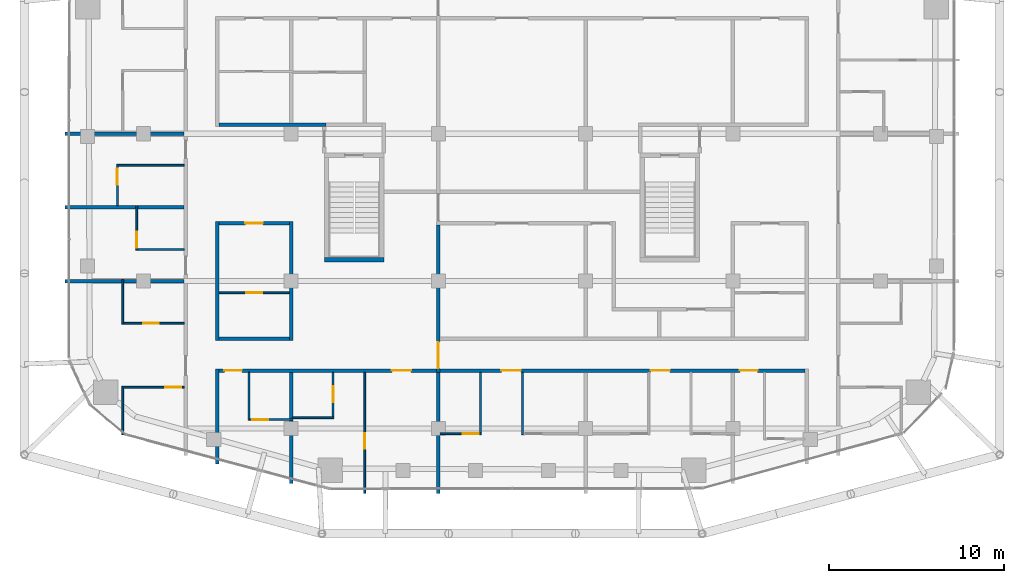
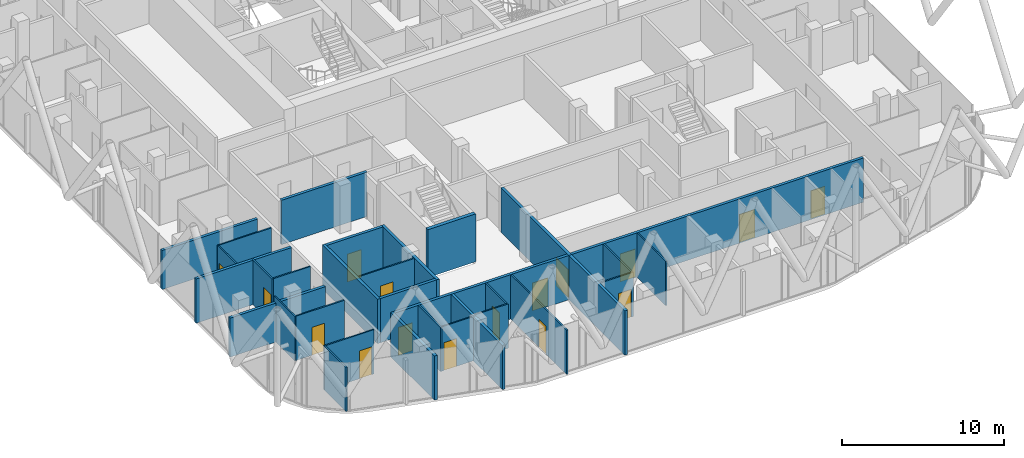
# One storey, part 23 of 31: 31 walls, 16 doors, 16 openings.
"""IFC4 building model written with IfcOpenShell, lengths in metres."""

from ifc_helpers import new_model, si_unit, direction, frame, frame_2d, origin, place, context, subcontext, project, spatial, rectangle, extrude, material, layer, layer_set, type_object, element, fill, save


model = new_model("IFC4")

# Units and contexts
model_context = context("Model", 3, precision=1e-05, world=origin(), true_north=direction((0.0, 1.0)))
body_context = subcontext(model_context, "Body", "Model", "MODEL_VIEW")
ifc_project = project(units=[si_unit("LENGTHUNIT", "METRE"), si_unit("AREAUNIT", "SQUARE_METRE"), si_unit("VOLUMEUNIT", "CUBIC_METRE"), si_unit("PLANEANGLEUNIT", "RADIAN"), si_unit("MASSUNIT", "GRAM", prefix="KILO")], contexts=[model_context])

# Site, building, storey
site_placement = place(None, origin())
site = spatial("IfcSite", under=ifc_project, at=site_placement, CompositionType="ELEMENT")
building_placement = place(site_placement, origin())
building = spatial("IfcBuilding", under=site, at=building_placement, Name="Marenta Gate Hotel Tower", CompositionType="ELEMENT")
storey_placement = place(building_placement, frame((0.0, 0.0, 205.699951171875)))
storey = spatial("IfcBuildingStorey", under=building, at=storey_placement, Name="L47", CompositionType="ELEMENT", Elevation=205.699951171875)

# Wall
ifc_material_1 = material(Name="Concrete blockwork", Category="masonry")
ifc_layer_1 = layer(ifc_material_1, 0.199951171875)
ifc_layer_set_1 = layer_set([ifc_layer_1], Name="Concrete blockwork")
wall_type_1 = type_object("IfcWallType", Name="Compartment wall 200 REI 180", PredefinedType="PARTITIONING", material=ifc_layer_set_1)
wall_1_placement = place(storey_placement, frame((-4.199951171875, -28.89990234375, 0.0), z_axis=(0.0, 0.0, 1.0), x_axis=(0.0, 1.0, 0.0)))
element("IfcWall", 1, at=wall_1_placement, inside=storey, type_object=wall_type_1, Name="L47-PTN-W070", PredefinedType="PARTITIONING", context=body_context, shape_type="SweptSolid", body=[
    extrude(rectangle(XDim=6.89990234375, YDim=0.199951171875, at=frame_2d((3.449951171875, 0.0))), origin(), (0.0, 0.0, 1.0), 3.340087890625),
])

# Wall, opening, door
wall_2_placement = place(storey_placement, frame((-4.199951171875, -22.0, 0.0), z_axis=(0.0, 0.0, 1.0), x_axis=(0.0, 1.0, 0.0)))
wall_2 = element("IfcWall", 2, at=wall_2_placement, inside=storey, type_object=wall_type_1, Name="L47-PTN-W073", PredefinedType="PARTITIONING", context=body_context, shape_type="SweptSolid", body=[
    extrude(rectangle(XDim=8.39990234375, YDim=0.199951171875, at=frame_2d((4.199951171875, 0.0))), origin(), (0.0, 0.0, 1.0), 3.340087890625),
])
opening_1_placement = place(wall_2_placement, frame((0.22509765625, 0.0, 0.0)))
opening_1 = element("IfcOpeningElement", 3, at=opening_1_placement, cuts=wall_2, Name="Opening G16-FD4", PredefinedType="OPENING", context=body_context, shape_type="SweptSolid", body=[
    extrude(rectangle(XDim=1.5, YDim=2.10009765625, at=frame_2d((0.75, 1.050048828125))), frame((0.0, 0.10009765625, 0.0), z_axis=(0.0, -1.0, 0.0), x_axis=(1.0, 0.0, 0.0)), (0.0, 0.0, 1.0), 0.199951171875),
])
ifc_material_2 = material(Name="Hollow steel door set", Category="steel")
door_type_1 = type_object("IfcDoorType", Name="Compartment fire door 1500x2100 EI 60", OperationType="DOUBLE_DOOR_DOUBLE_SWING", PredefinedType="DOOR", material=ifc_material_2)
door_1_placement = place(opening_1_placement, origin())
door_1 = element("IfcDoor", 4, at=door_1_placement, inside=storey, type_object=door_type_1, Name="L47-PD-FD04", OperationType="DOUBLE_DOOR_DOUBLE_SWING", OverallHeight=2.10009765625, OverallWidth=1.5, PredefinedType="DOOR", context=body_context, shape_type="SweptSolid", body=[
    extrude(rectangle(XDim=1.5, YDim=2.10009765625, at=frame_2d((0.75, 1.050048828125))), frame((0.0, 0.02490234375, 0.0), z_axis=(0.0, -1.0, 0.0), x_axis=(1.0, 0.0, 0.0)), (0.0, 0.0, 1.0), 0.050048828125),
])
fill(opening_1, door_1)

# Walls
ifc_material_3 = material(Name="Concrete C40", Category="concrete")
ifc_layer_2 = layer(ifc_material_3, 0.25)
ifc_layer_set_2 = layer_set([ifc_layer_2], Name="Concrete C40")
wall_type_2 = type_object("IfcWallType", Name="Remote stair enclosure wall 250 REI 180", PredefinedType="SHEAR", material=ifc_layer_set_2)
wall_3_placement = place(storey_placement, frame((-10.699951171875, -15.574951171875, 0.10009765625), z_axis=(0.0, 0.0, 1.0), x_axis=(1.0, 0.0, 0.0)))
element("IfcWall", 5, at=wall_3_placement, inside=storey, type_object=wall_type_2, Name="L47-RS-Z3-1-W1", PredefinedType="SHEAR", context=body_context, shape_type="SweptSolid", body=[
    extrude(rectangle(XDim=3.39990234375, YDim=0.25, at=frame_2d((1.699951171875, 0.0))), origin(), (0.0, 0.0, 1.0), 3.599853515625),
])
ifc_material_4 = material(Name="Concrete blockwork", Category="masonry")
ifc_layer_3 = layer(ifc_material_4, 0.199951171875)
ifc_layer_set_3 = layer_set([ifc_layer_3], Name="Concrete blockwork")
wall_type_3 = type_object("IfcWallType", Name="Room corridor wall 200 EI 120", PredefinedType="PARTITIONING", material=ifc_layer_set_3)
wall_4_placement = place(storey_placement, frame((-16.699951171875, -20.10009765625, 0.0), z_axis=(0.0, 0.0, 1.0), x_axis=(1.0, 0.0, 0.0)))
element("IfcWall", 6, at=wall_4_placement, inside=storey, type_object=wall_type_3, Name="L47-PTN-W015", PredefinedType="PARTITIONING", context=body_context, shape_type="SweptSolid", body=[
    extrude(rectangle(XDim=4.0, YDim=0.199951171875, at=frame_2d((2.0, 0.0))), origin(), (0.0, 0.0, 1.0), 3.340087890625),
])

# Wall, opening, door
wall_5_placement = place(storey_placement, frame((-16.699951171875, -13.5, 0.0), z_axis=(0.0, 0.0, 1.0), x_axis=(1.0, 0.0, 0.0)))
wall_5 = element("IfcWall", 7, at=wall_5_placement, inside=storey, type_object=wall_type_3, Name="L47-PTN-W031", PredefinedType="PARTITIONING", context=body_context, shape_type="SweptSolid", body=[
    extrude(rectangle(XDim=4.0, YDim=0.199951171875, at=frame_2d((2.0, 0.0))), origin(), (0.0, 0.0, 1.0), 3.340087890625),
])
opening_2_placement = place(wall_5_placement, frame((1.5, 0.0, 0.0)))
opening_2 = element("IfcOpeningElement", 8, at=opening_2_placement, cuts=wall_5, Name="Opening G16-09", PredefinedType="OPENING", context=body_context, shape_type="SweptSolid", body=[
    extrude(rectangle(XDim=1.0, YDim=2.10009765625, at=frame_2d((0.5, 1.050048828125))), frame((0.0, 0.10009765625, 0.0), z_axis=(0.0, -1.0, 0.0), x_axis=(1.0, 0.0, 0.0)), (0.0, 0.0, 1.0), 0.199951171875),
])
ifc_material_5 = material(Name="Hollow steel door set", Category="steel")
door_type_2 = type_object("IfcDoorType", Name="Room service door 1000x2100 EI 60", OperationType="NOTDEFINED", PredefinedType="DOOR", material=ifc_material_5)
door_2_placement = place(opening_2_placement, origin())
door_2 = element("IfcDoor", 9, at=door_2_placement, inside=storey, type_object=door_type_2, Name="L47-PD-D009", OperationType="SINGLE_SWING_LEFT", OverallHeight=2.10009765625, OverallWidth=1.0, PredefinedType="DOOR", context=body_context, shape_type="SweptSolid", body=[
    extrude(rectangle(XDim=1.0, YDim=2.10009765625, at=frame_2d((0.5, 1.050048828125))), frame((0.0, 0.02490234375, 0.0), z_axis=(0.0, -1.0, 0.0), x_axis=(1.0, 0.0, 0.0)), (0.0, 0.0, 1.0), 0.050048828125),
])
fill(opening_2, door_2)

# Walls
wall_6_placement = place(storey_placement, frame((-16.699951171875, -7.89990234375, 0.0), z_axis=(0.0, 0.0, 1.0), x_axis=(1.0, 0.0, 0.0)))
element("IfcWall", 10, at=wall_6_placement, inside=storey, type_object=wall_type_3, Name="L47-PTN-W047", PredefinedType="PARTITIONING", context=body_context, shape_type="SweptSolid", body=[
    extrude(rectangle(XDim=6.099853515625, YDim=0.199951171875, at=frame_2d((3.0498046875, 0.0))), origin(), (0.0, 0.0, 1.0), 3.340087890625),
])
for number, where, z_axis, x_axis, name in (
    (11, (-12.60009765625, -20.199951171875, 0.0), (0.0, 0.0, 1.0), (0.0, 1.0, 0.0), "L47-PTN-W088"),
    (12, (-16.800048828125, -20.199951171875, 0.0), (0.0, 0.0, 1.0), (0.0, 1.0, 0.0), "L47-PTN-W094"),
):
    element("IfcWall", number, at=place(storey_placement, frame(where, z_axis=z_axis, x_axis=x_axis)), inside=storey, type_object=wall_type_3, Name=name, PredefinedType="PARTITIONING", context=body_context, shape_type="SweptSolid", body=[
        extrude(rectangle(XDim=6.800048828125, YDim=0.199951171875, at=frame_2d((3.39990234375, 0.0))), origin(), (0.0, 0.0, 1.0), 3.340087890625),
    ])

# Wall, openings, doors
ifc_material_6 = material(Name="Gypsum board on steel stud", Category="steel")
ifc_layer_4 = layer(ifc_material_6, 0.199951171875)
ifc_layer_set_4 = layer_set([ifc_layer_4], Name="Gypsum board on steel stud")
wall_type_4 = type_object("IfcWallType", Name="Room corridor wall 200 EI 60", PredefinedType="PARTITIONING", material=ifc_layer_set_4)
wall_7_placement = place(storey_placement, frame((-16.699951171875, -21.89990234375, 0.0), z_axis=(0.0, 0.0, 1.0), x_axis=(1.0, 0.0, 0.0)))
wall_7 = element("IfcWall", 13, at=wall_7_placement, inside=storey, type_object=wall_type_4, Name="L47-PTN-W013", PredefinedType="PARTITIONING", context=body_context, shape_type="SweptSolid", body=[
    extrude(rectangle(XDim=33.39990234375, YDim=0.199951171875, at=frame_2d((16.699951171875, 0.0))), origin(), (0.0, 0.0, 1.0), 3.340087890625),
])
opening_3_placement = place(wall_7_placement, frame((0.300048828125, 0.0, 0.0)))
opening_3 = element("IfcOpeningElement", 14, at=opening_3_placement, cuts=wall_7, Name="Opening G16-33", PredefinedType="OPENING", context=body_context, shape_type="SweptSolid", body=[
    extrude(rectangle(XDim=1.0, YDim=2.10009765625, at=frame_2d((0.5, 1.050048828125))), frame((0.0, 0.10009765625, 0.0), z_axis=(0.0, -1.0, 0.0), x_axis=(1.0, 0.0, 0.0)), (0.0, 0.0, 1.0), 0.199951171875),
])
opening_4_placement = place(wall_7_placement, frame((9.85009765625, 0.0, 0.0)))
opening_4 = element("IfcOpeningElement", 15, at=opening_4_placement, cuts=wall_7, Name="Opening G16-35", PredefinedType="OPENING", context=body_context, shape_type="SweptSolid", body=[
    extrude(rectangle(XDim=1.10009765625, YDim=2.10009765625, at=frame_2d((0.550048828125, 1.050048828125))), frame((0.0, 0.10009765625, 0.0), z_axis=(0.0, -1.0, 0.0), x_axis=(1.0, 0.0, 0.0)), (0.0, 0.0, 1.0), 0.199951171875),
])
opening_5_placement = place(wall_7_placement, frame((16.10009765625, 0.0, 0.0)))
opening_5 = element("IfcOpeningElement", 16, at=opening_5_placement, cuts=wall_7, Name="Opening G16-38", PredefinedType="OPENING", context=body_context, shape_type="SweptSolid", body=[
    extrude(rectangle(XDim=1.10009765625, YDim=2.10009765625, at=frame_2d((0.550048828125, 1.050048828125))), frame((0.0, 0.10009765625, 0.0), z_axis=(0.0, -1.0, 0.0), x_axis=(1.0, 0.0, 0.0)), (0.0, 0.0, 1.0), 0.199951171875),
])
opening_6_placement = place(wall_7_placement, frame((24.60009765625, 0.0, 0.0)))
opening_6 = element("IfcOpeningElement", 17, at=opening_6_placement, cuts=wall_7, Name="Opening G16-41", PredefinedType="OPENING", context=body_context, shape_type="SweptSolid", body=[
    extrude(rectangle(XDim=1.10009765625, YDim=2.10009765625, at=frame_2d((0.550048828125, 1.050048828125))), frame((0.0, 0.10009765625, 0.0), z_axis=(0.0, -1.0, 0.0), x_axis=(1.0, 0.0, 0.0)), (0.0, 0.0, 1.0), 0.199951171875),
])
opening_7_placement = place(wall_7_placement, frame((29.699951171875, 0.0, 0.0)))
opening_7 = element("IfcOpeningElement", 18, at=opening_7_placement, cuts=wall_7, Name="Opening G16-44", PredefinedType="OPENING", context=body_context, shape_type="SweptSolid", body=[
    extrude(rectangle(XDim=1.0, YDim=2.10009765625, at=frame_2d((0.5, 1.050048828125))), frame((0.0, 0.10009765625, 0.0), z_axis=(0.0, -1.0, 0.0), x_axis=(1.0, 0.0, 0.0)), (0.0, 0.0, 1.0), 0.199951171875),
])
ifc_material_7 = material(Name="Timber door leaf", Category="wood")
door_type_3 = type_object("IfcDoorType", Name="Guest room door 1000x2100 EI 30", OperationType="NOTDEFINED", PredefinedType="DOOR", material=ifc_material_7)
door_3_placement = place(opening_3_placement, origin())
door_3 = element("IfcDoor", 19, at=door_3_placement, inside=storey, type_object=door_type_3, Name="L47-PD-D033", OperationType="SINGLE_SWING_RIGHT", OverallHeight=2.10009765625, OverallWidth=1.0, PredefinedType="DOOR", context=body_context, shape_type="SweptSolid", body=[
    extrude(rectangle(XDim=1.0, YDim=2.10009765625, at=frame_2d((0.5, 1.050048828125))), frame((0.0, 0.02490234375, 0.0), z_axis=(0.0, -1.0, 0.0), x_axis=(1.0, 0.0, 0.0)), (0.0, 0.0, 1.0), 0.050048828125),
])
fill(opening_3, door_3)
door_4_placement = place(opening_7_placement, origin())
door_4 = element("IfcDoor", 20, at=door_4_placement, inside=storey, type_object=door_type_3, Name="L47-PD-D044", OperationType="SINGLE_SWING_RIGHT", OverallHeight=2.10009765625, OverallWidth=1.0, PredefinedType="DOOR", context=body_context, shape_type="SweptSolid", body=[
    extrude(rectangle(XDim=1.0, YDim=2.10009765625, at=frame_2d((0.5, 1.050048828125))), frame((0.0, 0.02490234375, 0.0), z_axis=(0.0, -1.0, 0.0), x_axis=(1.0, 0.0, 0.0)), (0.0, 0.0, 1.0), 0.050048828125),
])
fill(opening_7, door_4)
ifc_material_8 = material(Name="Timber door leaf", Category="wood")
door_type_4 = type_object("IfcDoorType", Name="Guest room door 1100x2100 EI 30", OperationType="NOTDEFINED", PredefinedType="DOOR", material=ifc_material_8)
door_5_placement = place(opening_4_placement, origin())
door_5 = element("IfcDoor", 21, at=door_5_placement, inside=storey, type_object=door_type_4, Name="L47-PD-D035", OperationType="SINGLE_SWING_LEFT", OverallHeight=2.10009765625, OverallWidth=1.10009765625, PredefinedType="DOOR", context=body_context, shape_type="SweptSolid", body=[
    extrude(rectangle(XDim=1.10009765625, YDim=2.10009765625, at=frame_2d((0.550048828125, 1.050048828125))), frame((0.0, 0.02490234375, 0.0), z_axis=(0.0, -1.0, 0.0), x_axis=(1.0, 0.0, 0.0)), (0.0, 0.0, 1.0), 0.050048828125),
])
fill(opening_4, door_5)
door_6_placement = place(opening_5_placement, origin())
door_6 = element("IfcDoor", 22, at=door_6_placement, inside=storey, type_object=door_type_4, Name="L47-PD-D038", OperationType="SINGLE_SWING_LEFT", OverallHeight=2.10009765625, OverallWidth=1.10009765625, PredefinedType="DOOR", context=body_context, shape_type="SweptSolid", body=[
    extrude(rectangle(XDim=1.10009765625, YDim=2.10009765625, at=frame_2d((0.550048828125, 1.050048828125))), frame((0.0, 0.02490234375, 0.0), z_axis=(0.0, -1.0, 0.0), x_axis=(1.0, 0.0, 0.0)), (0.0, 0.0, 1.0), 0.050048828125),
])
fill(opening_5, door_6)
door_7_placement = place(opening_6_placement, origin())
door_7 = element("IfcDoor", 23, at=door_7_placement, inside=storey, type_object=door_type_4, Name="L47-PD-D041", OperationType="SINGLE_SWING_RIGHT", OverallHeight=2.10009765625, OverallWidth=1.10009765625, PredefinedType="DOOR", context=body_context, shape_type="SweptSolid", body=[
    extrude(rectangle(XDim=1.10009765625, YDim=2.10009765625, at=frame_2d((0.550048828125, 1.050048828125))), frame((0.0, 0.02490234375, 0.0), z_axis=(0.0, -1.0, 0.0), x_axis=(1.0, 0.0, 0.0)), (0.0, 0.0, 1.0), 0.050048828125),
])
fill(opening_6, door_7)

# Wall
wall_8_placement = place(storey_placement, frame((-16.800048828125, -27.22900390625, 0.0), z_axis=(0.0, 0.0, 1.0), x_axis=(0.0, 1.0, 0.0)))
element("IfcWall", 24, at=wall_8_placement, inside=storey, type_object=wall_type_4, Name="L47-PTN-W093", PredefinedType="PARTITIONING", context=body_context, shape_type="SweptSolid", body=[
    extrude(rectangle(XDim=5.428955078125, YDim=0.199951171875, at=frame_2d((2.71435546875, 0.0))), origin(), (0.0, 0.0, 1.0), 3.340087890625),
])

# Wall, opening, door
ifc_material_9 = material(Name="Gypsum board on steel stud", Category="steel")
ifc_layer_5 = layer(ifc_material_9, 0.10009765625)
ifc_layer_set_5 = layer_set([ifc_layer_5], Name="Gypsum board on steel stud")
wall_type_5 = type_object("IfcWallType", Name="Room partition 100", PredefinedType="PARTITIONING", material=ifc_layer_set_5)
wall_9_placement = place(storey_placement, frame((-4.10009765625, -25.5, 0.0), z_axis=(0.0, 0.0, 1.0), x_axis=(1.0, 0.0, 0.0)))
wall_9 = element("IfcWall", 25, at=wall_9_placement, inside=storey, type_object=wall_type_5, Name="L47-PTN-W002", PredefinedType="PARTITIONING", context=body_context, shape_type="SweptSolid", body=[
    extrude(rectangle(XDim=2.35009765625, YDim=0.10009765625, at=frame_2d((1.175048828125, 0.0))), origin(), (0.0, 0.0, 1.0), 3.340087890625),
])
opening_8_placement = place(wall_9_placement, frame((1.300048828125, 0.0, 0.0)))
opening_8 = element("IfcOpeningElement", 26, at=opening_8_placement, cuts=wall_9, Name="Opening G16-40", PredefinedType="OPENING", context=body_context, shape_type="SweptSolid", body=[
    extrude(rectangle(XDim=0.89990234375, YDim=2.10009765625, at=frame_2d((0.449951171875, 1.050048828125))), frame((0.0, 0.050048828125, 0.0), z_axis=(0.0, -1.0, 0.0), x_axis=(1.0, 0.0, 0.0)), (0.0, 0.0, 1.0), 0.10009765625),
])
ifc_material_10 = material(Name="Timber door leaf", Category="wood")
door_type_5 = type_object("IfcDoorType", Name="Room inner door 900x2100", OperationType="NOTDEFINED", PredefinedType="DOOR", material=ifc_material_10)
door_8_placement = place(opening_8_placement, origin())
door_8 = element("IfcDoor", 27, at=door_8_placement, inside=storey, type_object=door_type_5, Name="L47-PD-D040", OperationType="SINGLE_SWING_RIGHT", OverallHeight=2.10009765625, OverallWidth=0.89990234375, PredefinedType="DOOR", context=body_context, shape_type="SweptSolid", body=[
    extrude(rectangle(XDim=0.89990234375, YDim=2.10009765625, at=frame_2d((0.449951171875, 1.050048828125))), frame((0.0, 0.02490234375, 0.0), z_axis=(0.0, -1.0, 0.0), x_axis=(1.0, 0.0, 0.0)), (0.0, 0.0, 1.0), 0.050048828125),
])
fill(opening_8, door_8)

wall_10_placement = place(storey_placement, frame((-14.949951171875, -24.699951171875, 0.0), z_axis=(0.0, 0.0, 1.0), x_axis=(1.0, 0.0, 0.0)))
wall_10 = element("IfcWall", 28, at=wall_10_placement, inside=storey, type_object=wall_type_5, Name="L47-PTN-W005", PredefinedType="PARTITIONING", context=body_context, shape_type="SweptSolid", body=[
    extrude(rectangle(XDim=2.449951171875, YDim=0.10009765625, at=frame_2d((1.22509765625, 0.0))), origin(), (0.0, 0.0, 1.0), 3.340087890625),
])
opening_9_placement = place(wall_10_placement, frame((0.14990234375, 0.0, 0.0)))
opening_9 = element("IfcOpeningElement", 29, at=opening_9_placement, cuts=wall_10, Name="Opening G16-34", PredefinedType="OPENING", context=body_context, shape_type="SweptSolid", body=[
    extrude(rectangle(XDim=0.89990234375, YDim=2.10009765625, at=frame_2d((0.449951171875, 1.050048828125))), frame((0.0, 0.050048828125, 0.0), z_axis=(0.0, -1.0, 0.0), x_axis=(1.0, 0.0, 0.0)), (0.0, 0.0, 1.0), 0.10009765625),
])
ifc_material_11 = material(Name="Timber door leaf", Category="wood")
door_type_6 = type_object("IfcDoorType", Name="Guest bathroom door 900x2100", OperationType="NOTDEFINED", PredefinedType="DOOR", material=ifc_material_11)
door_9_placement = place(opening_9_placement, origin())
door_9 = element("IfcDoor", 30, at=door_9_placement, inside=storey, type_object=door_type_6, Name="L47-PD-D034", OperationType="SINGLE_SWING_LEFT", OverallHeight=2.10009765625, OverallWidth=0.89990234375, PredefinedType="DOOR", context=body_context, shape_type="SweptSolid", body=[
    extrude(rectangle(XDim=0.89990234375, YDim=2.10009765625, at=frame_2d((0.449951171875, 1.050048828125))), frame((0.0, 0.02490234375, 0.0), z_axis=(0.0, -1.0, 0.0), x_axis=(1.0, 0.0, 0.0)), (0.0, 0.0, 1.0), 0.050048828125),
])
fill(opening_9, door_9)

# Wall
wall_11_placement = place(storey_placement, frame((-12.5, -24.60009765625, 0.0), z_axis=(0.0, 0.0, 1.0), x_axis=(1.0, 0.0, 0.0)))
element("IfcWall", 31, at=wall_11_placement, inside=storey, type_object=wall_type_5, Name="L47-PTN-W006", PredefinedType="PARTITIONING", context=body_context, shape_type="SweptSolid", body=[
    extrude(rectangle(XDim=2.35009765625, YDim=0.10009765625, at=frame_2d((1.175048828125, 0.0))), origin(), (0.0, 0.0, 1.0), 3.340087890625),
])

# Wall, opening, door
wall_12_placement = place(storey_placement, frame((-22.25, -22.85107421875, 0.0), z_axis=(0.0, 0.0, 1.0), x_axis=(1.0, 0.0, 0.0)))
wall_12 = element("IfcWall", 32, at=wall_12_placement, inside=storey, type_object=wall_type_5, Name="L47-PTN-W007", PredefinedType="PARTITIONING", context=body_context, shape_type="SweptSolid", body=[
    extrude(rectangle(XDim=3.550048828125, YDim=0.10009765625, at=frame_2d((1.77490234375, 0.0))), origin(), (0.0, 0.0, 1.0), 3.340087890625),
])
opening_10_placement = place(wall_12_placement, frame((2.489990234375, 0.0, 0.0)))
opening_10 = element("IfcOpeningElement", 33, at=opening_10_placement, cuts=wall_12, Name="Opening G16-47", PredefinedType="OPENING", context=body_context, shape_type="SweptSolid", body=[
    extrude(rectangle(XDim=0.89990234375, YDim=2.10009765625, at=frame_2d((0.449951171875, 1.050048828125))), frame((0.0, 0.050048828125, 0.0), z_axis=(0.0, -1.0, 0.0), x_axis=(1.0, 0.0, 0.0)), (0.0, 0.0, 1.0), 0.10009765625),
])
door_10_placement = place(opening_10_placement, origin())
door_10 = element("IfcDoor", 34, at=door_10_placement, inside=storey, type_object=door_type_6, Name="L47-PD-D047", OperationType="SINGLE_SWING_LEFT", OverallHeight=2.10009765625, OverallWidth=0.89990234375, PredefinedType="DOOR", context=body_context, shape_type="SweptSolid", body=[
    extrude(rectangle(XDim=0.89990234375, YDim=2.10009765625, at=frame_2d((0.449951171875, 1.050048828125))), frame((0.0, 0.02490234375, 0.0), z_axis=(0.0, -1.0, 0.0), x_axis=(1.0, 0.0, 0.0)), (0.0, 0.0, 1.0), 0.050048828125),
])
fill(opening_10, door_10)

wall_13_placement = place(storey_placement, frame((-22.14990234375, -19.199951171875, 0.0), z_axis=(0.0, 0.0, 1.0), x_axis=(1.0, 0.0, 0.0)))
wall_13 = element("IfcWall", 35, at=wall_13_placement, inside=storey, type_object=wall_type_5, Name="L47-PTN-W017", PredefinedType="PARTITIONING", context=body_context, shape_type="SweptSolid", body=[
    extrude(rectangle(XDim=3.449951171875, YDim=0.10009765625, at=frame_2d((1.72509765625, 0.0))), origin(), (0.0, 0.0, 1.0), 3.340087890625),
])
opening_11_placement = place(wall_13_placement, frame((1.1201171875, 0.0, 0.0)))
opening_11 = element("IfcOpeningElement", 36, at=opening_11_placement, cuts=wall_13, Name="Opening G16-48", PredefinedType="OPENING", context=body_context, shape_type="SweptSolid", body=[
    extrude(rectangle(XDim=0.89990234375, YDim=2.10009765625, at=frame_2d((0.449951171875, 1.050048828125))), frame((0.0, 0.050048828125, 0.0), z_axis=(0.0, -1.0, 0.0), x_axis=(1.0, 0.0, 0.0)), (0.0, 0.0, 1.0), 0.10009765625),
])
door_11_placement = place(opening_11_placement, origin())
door_11 = element("IfcDoor", 37, at=door_11_placement, inside=storey, type_object=door_type_5, Name="L47-PD-D048", OperationType="SINGLE_SWING_LEFT", OverallHeight=2.10009765625, OverallWidth=0.89990234375, PredefinedType="DOOR", context=body_context, shape_type="SweptSolid", body=[
    extrude(rectangle(XDim=0.89990234375, YDim=2.10009765625, at=frame_2d((0.449951171875, 1.050048828125))), frame((0.0, 0.02490234375, 0.0), z_axis=(0.0, -1.0, 0.0), x_axis=(1.0, 0.0, 0.0)), (0.0, 0.0, 1.0), 0.050048828125),
])
fill(opening_11, door_11)

wall_14_placement = place(storey_placement, frame((-16.699951171875, -17.4599609375, 0.0), z_axis=(0.0, 0.0, 1.0), x_axis=(1.0, 0.0, 0.0)))
wall_14 = element("IfcWall", 38, at=wall_14_placement, inside=storey, type_object=wall_type_5, Name="L47-PTN-W021", PredefinedType="PARTITIONING", context=body_context, shape_type="SweptSolid", body=[
    extrude(rectangle(XDim=4.0, YDim=0.10009765625, at=frame_2d((2.0, 0.0))), origin(), (0.0, 0.0, 1.0), 3.340087890625),
])
opening_12_placement = place(wall_14_placement, frame((1.550048828125, 0.0, 0.0)))
opening_12 = element("IfcOpeningElement", 39, at=opening_12_placement, cuts=wall_14, Name="Opening G16-10", PredefinedType="OPENING", context=body_context, shape_type="SweptSolid", body=[
    extrude(rectangle(XDim=0.89990234375, YDim=2.10009765625, at=frame_2d((0.449951171875, 1.050048828125))), frame((0.0, 0.050048828125, 0.0), z_axis=(0.0, -1.0, 0.0), x_axis=(1.0, 0.0, 0.0)), (0.0, 0.0, 1.0), 0.10009765625),
])
door_12_placement = place(opening_12_placement, origin())
door_12 = element("IfcDoor", 40, at=door_12_placement, inside=storey, type_object=door_type_5, Name="L47-PD-D010", OperationType="SINGLE_SWING_LEFT", OverallHeight=2.10009765625, OverallWidth=0.89990234375, PredefinedType="DOOR", context=body_context, shape_type="SweptSolid", body=[
    extrude(rectangle(XDim=0.89990234375, YDim=2.10009765625, at=frame_2d((0.449951171875, 1.050048828125))), frame((0.0, 0.02490234375, 0.0), z_axis=(0.0, -1.0, 0.0), x_axis=(1.0, 0.0, 0.0)), (0.0, 0.0, 1.0), 0.050048828125),
])
fill(opening_12, door_12)

# Walls
wall_15_placement = place(storey_placement, frame((-21.35009765625, -15.0, 0.0), z_axis=(0.0, 0.0, 1.0), x_axis=(1.0, 0.0, 0.0)))
element("IfcWall", 41, at=wall_15_placement, inside=storey, type_object=wall_type_5, Name="L47-PTN-W029", PredefinedType="PARTITIONING", context=body_context, shape_type="SweptSolid", body=[
    extrude(rectangle(XDim=2.650146484375, YDim=0.10009765625, at=frame_2d((1.3251953125, 0.0))), origin(), (0.0, 0.0, 1.0), 3.340087890625),
])
wall_16_placement = place(storey_placement, frame((-22.550048828125, -10.199951171875, 0.0), z_axis=(0.0, 0.0, 1.0), x_axis=(1.0, 0.0, 0.0)))
element("IfcWall", 42, at=wall_16_placement, inside=storey, type_object=wall_type_5, Name="L47-PTN-W043", PredefinedType="PARTITIONING", context=body_context, shape_type="SweptSolid", body=[
    extrude(rectangle(XDim=3.85009765625, YDim=0.10009765625, at=frame_2d((1.925048828125, 0.0))), origin(), (0.0, 0.0, 1.0), 3.340087890625),
])
wall_17_placement = place(storey_placement, frame((0.60009765625, -25.550048828125, 0.0), z_axis=(0.0, 0.0, 1.0), x_axis=(0.0, 1.0, 0.0)))
element("IfcWall", 43, at=wall_17_placement, inside=storey, type_object=wall_type_5, Name="L47-PTN-W065", PredefinedType="PARTITIONING", context=body_context, shape_type="SweptSolid", body=[
    extrude(rectangle(XDim=3.550048828125, YDim=0.10009765625, at=frame_2d((1.77490234375, 0.0))), origin(), (0.0, 0.0, 1.0), 3.340087890625),
])
wall_18_placement = place(storey_placement, frame((-1.800048828125, -25.449951171875, 0.0), z_axis=(0.0, 0.0, 1.0), x_axis=(0.0, 1.0, 0.0)))
element("IfcWall", 44, at=wall_18_placement, inside=storey, type_object=wall_type_5, Name="L47-PTN-W068", PredefinedType="PARTITIONING", context=body_context, shape_type="SweptSolid", body=[
    extrude(rectangle(XDim=3.449951171875, YDim=0.10009765625, at=frame_2d((1.72509765625, 0.0))), origin(), (0.0, 0.0, 1.0), 3.340087890625),
])

# Wall, opening, door
wall_19_placement = place(storey_placement, frame((-8.39990234375, -28.89990234375, 0.0), z_axis=(0.0, 0.0, 1.0), x_axis=(0.0, 1.0, 0.0)))
wall_19 = element("IfcWall", 45, at=wall_19_placement, inside=storey, type_object=wall_type_5, Name="L47-PTN-W076", PredefinedType="PARTITIONING", context=body_context, shape_type="SweptSolid", body=[
    extrude(rectangle(XDim=6.89990234375, YDim=0.10009765625, at=frame_2d((3.449951171875, 0.0))), origin(), (0.0, 0.0, 1.0), 3.340087890625),
])
opening_13_placement = place(wall_19_placement, frame((2.530029296875, 0.0, 0.0)))
opening_13 = element("IfcOpeningElement", 46, at=opening_13_placement, cuts=wall_19, Name="Opening G16-36", PredefinedType="OPENING", context=body_context, shape_type="SweptSolid", body=[
    extrude(rectangle(XDim=0.89990234375, YDim=2.10009765625, at=frame_2d((0.449951171875, 1.050048828125))), frame((0.0, 0.050048828125, 0.0), z_axis=(0.0, -1.0, 0.0), x_axis=(1.0, 0.0, 0.0)), (0.0, 0.0, 1.0), 0.10009765625),
])
door_13_placement = place(opening_13_placement, origin())
door_13 = element("IfcDoor", 47, at=door_13_placement, inside=storey, type_object=door_type_5, Name="L47-PD-D036", OperationType="SINGLE_SWING_LEFT", OverallHeight=2.10009765625, OverallWidth=0.89990234375, PredefinedType="DOOR", context=body_context, shape_type="SweptSolid", body=[
    extrude(rectangle(XDim=0.89990234375, YDim=2.10009765625, at=frame_2d((0.449951171875, 1.050048828125))), frame((0.0, 0.02490234375, 0.0), z_axis=(0.0, -1.0, 0.0), x_axis=(1.0, 0.0, 0.0)), (0.0, 0.0, 1.0), 0.050048828125),
])
fill(opening_13, door_13)

wall_20_placement = place(storey_placement, frame((-10.199951171875, -24.550048828125, 0.0), z_axis=(0.0, 0.0, 1.0), x_axis=(0.0, 1.0, 0.0)))
wall_20 = element("IfcWall", 48, at=wall_20_placement, inside=storey, type_object=wall_type_5, Name="L47-PTN-W081", PredefinedType="PARTITIONING", context=body_context, shape_type="SweptSolid", body=[
    extrude(rectangle(XDim=2.550048828125, YDim=0.10009765625, at=frame_2d((1.27490234375, 0.0))), origin(), (0.0, 0.0, 1.0), 3.340087890625),
])
opening_14_placement = place(wall_20_placement, frame((0.85009765625, 0.0, 0.0)))
opening_14 = element("IfcOpeningElement", 49, at=opening_14_placement, cuts=wall_20, Name="Opening G16-37", PredefinedType="OPENING", context=body_context, shape_type="SweptSolid", body=[
    extrude(rectangle(XDim=0.89990234375, YDim=2.10009765625, at=frame_2d((0.449951171875, 1.050048828125))), frame((0.0, 0.050048828125, 0.0), z_axis=(0.0, -1.0, 0.0), x_axis=(1.0, 0.0, 0.0)), (0.0, 0.0, 1.0), 0.10009765625),
])
door_14_placement = place(opening_14_placement, origin())
door_14 = element("IfcDoor", 50, at=door_14_placement, inside=storey, type_object=door_type_6, Name="L47-PD-D037", OperationType="SINGLE_SWING_RIGHT", OverallHeight=2.10009765625, OverallWidth=0.89990234375, PredefinedType="DOOR", context=body_context, shape_type="SweptSolid", body=[
    extrude(rectangle(XDim=0.89990234375, YDim=2.10009765625, at=frame_2d((0.449951171875, 1.050048828125))), frame((0.0, 0.02490234375, 0.0), z_axis=(0.0, -1.0, 0.0), x_axis=(1.0, 0.0, 0.0)), (0.0, 0.0, 1.0), 0.050048828125),
])
fill(opening_14, door_14)

# Wall
wall_21_placement = place(storey_placement, frame((-15.0, -24.75, 0.0), z_axis=(0.0, 0.0, 1.0), x_axis=(0.0, 1.0, 0.0)))
element("IfcWall", 51, at=wall_21_placement, inside=storey, type_object=wall_type_5, Name="L47-PTN-W092", PredefinedType="PARTITIONING", context=body_context, shape_type="SweptSolid", body=[
    extrude(rectangle(XDim=2.75, YDim=0.10009765625, at=frame_2d((1.375, 0.0))), origin(), (0.0, 0.0, 1.0), 3.340087890625),
])

# Wall, opening, door
wall_22_placement = place(storey_placement, frame((-21.39990234375, -15.050048828125, 0.0), z_axis=(0.0, 0.0, 1.0), x_axis=(0.0, 1.0, 0.0)))
wall_22 = element("IfcWall", 52, at=wall_22_placement, inside=storey, type_object=wall_type_5, Name="L47-PTN-W103", PredefinedType="PARTITIONING", context=body_context, shape_type="SweptSolid", body=[
    extrude(rectangle(XDim=2.550048828125, YDim=0.10009765625, at=frame_2d((1.27490234375, 0.0))), origin(), (0.0, 0.0, 1.0), 3.340087890625),
])
opening_15_placement = place(wall_22_placement, frame((0.14990234375, 0.0, 0.0)))
opening_15 = element("IfcOpeningElement", 53, at=opening_15_placement, cuts=wall_22, Name="Opening G16-50", PredefinedType="OPENING", context=body_context, shape_type="SweptSolid", body=[
    extrude(rectangle(XDim=0.89990234375, YDim=2.10009765625, at=frame_2d((0.449951171875, 1.050048828125))), frame((0.0, 0.050048828125, 0.0), z_axis=(0.0, -1.0, 0.0), x_axis=(1.0, 0.0, 0.0)), (0.0, 0.0, 1.0), 0.10009765625),
])
door_15_placement = place(opening_15_placement, origin())
door_15 = element("IfcDoor", 54, at=door_15_placement, inside=storey, type_object=door_type_6, Name="L47-PD-D050", OperationType="SINGLE_SWING_RIGHT", OverallHeight=2.10009765625, OverallWidth=0.89990234375, PredefinedType="DOOR", context=body_context, shape_type="SweptSolid", body=[
    extrude(rectangle(XDim=0.89990234375, YDim=2.10009765625, at=frame_2d((0.449951171875, 1.050048828125))), frame((0.0, 0.02490234375, 0.0), z_axis=(0.0, -1.0, 0.0), x_axis=(1.0, 0.0, 0.0)), (0.0, 0.0, 1.0), 0.050048828125),
])
fill(opening_15, door_15)

# Walls
wall_23_placement = place(storey_placement, frame((-22.199951171875, -25.552001953125, 0.0), z_axis=(0.0, 0.0, 1.0), x_axis=(0.0, 1.0, 0.0)))
element("IfcWall", 55, at=wall_23_placement, inside=storey, type_object=wall_type_5, Name="L47-PTN-W105", PredefinedType="PARTITIONING", context=body_context, shape_type="SweptSolid", body=[
    extrude(rectangle(XDim=2.651123046875, YDim=0.10009765625, at=frame_2d((1.32568359375, 0.0))), origin(), (0.0, 0.0, 1.0), 3.340087890625),
])
wall_24_placement = place(storey_placement, frame((-22.199951171875, -19.25, 0.0), z_axis=(0.0, 0.0, 1.0), x_axis=(0.0, 1.0, 0.0)))
element("IfcWall", 56, at=wall_24_placement, inside=storey, type_object=wall_type_5, Name="L47-PTN-W106", PredefinedType="PARTITIONING", context=body_context, shape_type="SweptSolid", body=[
    extrude(rectangle(XDim=2.550048828125, YDim=0.10009765625, at=frame_2d((1.27490234375, 0.0))), origin(), (0.0, 0.0, 1.0), 3.340087890625),
])

# Wall, opening, door
wall_25_placement = place(storey_placement, frame((-22.5, -12.5, 0.0), z_axis=(0.0, 0.0, 1.0), x_axis=(0.0, 1.0, 0.0)))
wall_25 = element("IfcWall", 57, at=wall_25_placement, inside=storey, type_object=wall_type_5, Name="L47-PTN-W110", PredefinedType="PARTITIONING", context=body_context, shape_type="SweptSolid", body=[
    extrude(rectangle(XDim=2.25, YDim=0.10009765625, at=frame_2d((1.125, 0.0))), origin(), (0.0, 0.0, 1.0), 3.340087890625),
])
opening_16_placement = place(wall_25_placement, frame((1.199951171875, 0.0, 0.0)))
opening_16 = element("IfcOpeningElement", 58, at=opening_16_placement, cuts=wall_25, Name="Opening G16-52", PredefinedType="OPENING", context=body_context, shape_type="SweptSolid", body=[
    extrude(rectangle(XDim=0.89990234375, YDim=2.10009765625, at=frame_2d((0.449951171875, 1.050048828125))), frame((0.0, 0.050048828125, 0.0), z_axis=(0.0, -1.0, 0.0), x_axis=(1.0, 0.0, 0.0)), (0.0, 0.0, 1.0), 0.10009765625),
])
door_16_placement = place(opening_16_placement, origin())
door_16 = element("IfcDoor", 59, at=door_16_placement, inside=storey, type_object=door_type_6, Name="L47-PD-D052", OperationType="SINGLE_SWING_LEFT", OverallHeight=2.10009765625, OverallWidth=0.89990234375, PredefinedType="DOOR", context=body_context, shape_type="SweptSolid", body=[
    extrude(rectangle(XDim=0.89990234375, YDim=2.10009765625, at=frame_2d((0.449951171875, 1.050048828125))), frame((0.0, 0.02490234375, 0.0), z_axis=(0.0, -1.0, 0.0), x_axis=(1.0, 0.0, 0.0)), (0.0, 0.0, 1.0), 0.050048828125),
])
fill(opening_16, door_16)

# Walls
ifc_material_12 = material(Name="Gypsum board on steel stud", Category="steel")
ifc_layer_6 = layer(ifc_material_12, 0.199951171875)
ifc_layer_set_6 = layer_set([ifc_layer_6], Name="Gypsum board on steel stud")
wall_type_6 = type_object("IfcWallType", Name="Room party wall 200 EI 60", PredefinedType="PARTITIONING", material=ifc_layer_set_6)
wall_26_placement = place(storey_placement, frame((-25.5, -16.800048828125, 0.0), z_axis=(0.0, 0.0, 1.0), x_axis=(1.0, 0.0, 0.0)))
element("IfcWall", 60, at=wall_26_placement, inside=storey, type_object=wall_type_6, Name="L47-PTN-W027", PredefinedType="PARTITIONING", context=body_context, shape_type="SweptSolid", body=[
    extrude(rectangle(XDim=6.800048828125, YDim=0.199951171875, at=frame_2d((3.39990234375, 0.0))), origin(), (0.0, 0.0, 1.0), 2.93994140625),
])
wall_27_placement = place(storey_placement, frame((-25.5, -12.60009765625, 0.0), z_axis=(0.0, 0.0, 1.0), x_axis=(1.0, 0.0, 0.0)))
element("IfcWall", 61, at=wall_27_placement, inside=storey, type_object=wall_type_6, Name="L47-PTN-W039", PredefinedType="PARTITIONING", context=body_context, shape_type="SweptSolid", body=[
    extrude(rectangle(XDim=6.800048828125, YDim=0.199951171875, at=frame_2d((3.39990234375, 0.0))), origin(), (0.0, 0.0, 1.0), 3.340087890625),
])
wall_28_placement = place(storey_placement, frame((-25.5, -8.39990234375, 0.0), z_axis=(0.0, 0.0, 1.0), x_axis=(1.0, 0.0, 0.0)))
element("IfcWall", 62, at=wall_28_placement, inside=storey, type_object=wall_type_6, Name="L47-PTN-W045", PredefinedType="PARTITIONING", context=body_context, shape_type="SweptSolid", body=[
    extrude(rectangle(XDim=6.800048828125, YDim=0.199951171875, at=frame_2d((3.39990234375, 0.0))), origin(), (0.0, 0.0, 1.0), 2.93994140625),
])
wall_29_placement = place(storey_placement, frame((-12.60009765625, -28.343017578125, 0.0), z_axis=(0.0, 0.0, 1.0), x_axis=(0.0, 1.0, 0.0)))
element("IfcWall", 63, at=wall_29_placement, inside=storey, type_object=wall_type_6, Name="L47-PTN-W085", PredefinedType="PARTITIONING", context=body_context, shape_type="SweptSolid", body=[
    extrude(rectangle(XDim=6.343017578125, YDim=0.199951171875, at=frame_2d((3.17138671875, 0.0))), origin(), (0.0, 0.0, 1.0), 3.340087890625),
])

save(model, "model.ifc")
